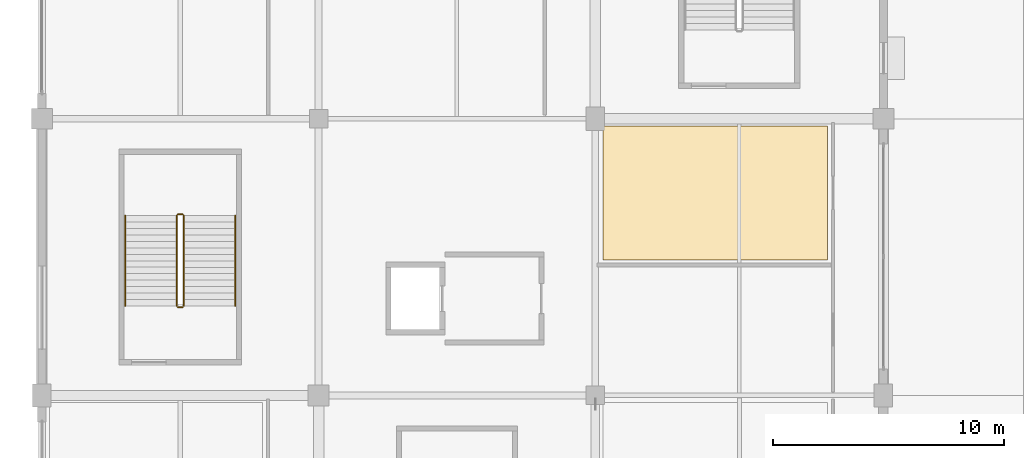
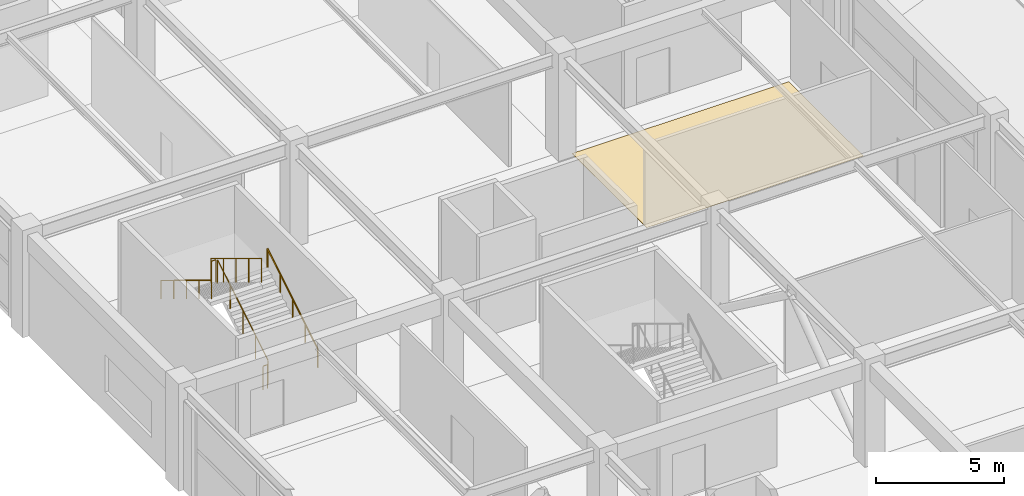
# One storey, part 97 of 116: 6 railings, 1 covering.
"""IFC4 building model written with IfcOpenShell, lengths in metres."""

from ifc_helpers import new_model, si_unit, direction, frame, origin, origin_2d, place, context, subcontext, project, spatial, polyline, circle, outline, extrude, material, layer, layer_set, type_object, element, save


model = new_model("IFC4")

# Units and contexts
model_context = context("Model", 3, precision=1e-05, world=origin(), true_north=direction((0.0, 1.0)))
body_context = subcontext(model_context, "Body", "Model", "MODEL_VIEW")
ifc_project = project(units=[si_unit("LENGTHUNIT", "METRE"), si_unit("AREAUNIT", "SQUARE_METRE"), si_unit("VOLUMEUNIT", "CUBIC_METRE"), si_unit("PLANEANGLEUNIT", "RADIAN"), si_unit("MASSUNIT", "GRAM", prefix="KILO")], contexts=[model_context])

# Site, building, storey
site_placement = place(None, origin())
site = spatial("IfcSite", under=ifc_project, at=site_placement, CompositionType="ELEMENT")
building_placement = place(site_placement, origin())
building = spatial("IfcBuilding", under=site, at=building_placement, Name="Kazenohara Klinker Stadium", CompositionType="ELEMENT")
storey_placement = place(building_placement, frame((0.0, 0.0, 10.199951171875)))
storey = spatial("IfcBuildingStorey", under=building, at=storey_placement, Name="L02", CompositionType="ELEMENT", Elevation=10.199951171875)

# Covering
ifc_material_1 = material(Name="Cushioned EPDM sports rubber flooring", Category="rubber")
ifc_layer_1 = layer(ifc_material_1, 0.014892578125)
ifc_layer_set_1 = layer_set([ifc_layer_1], Name="Cushioned EPDM sports rubber flooring")
covering_type = type_object("IfcCoveringType", Name="COV-FLR-02", PredefinedType="FLOORING", material=ifc_layer_set_1)
covering_placement = place(storey_placement, origin())
element("IfcCovering", 1, at=covering_placement, inside=storey, type_object=covering_type, Name="Interior floor finish FL02 Civic Sports Archive Reading Room L02-0209B", PredefinedType="FLOORING", context=body_context, shape_type="SweptSolid", body=[
    extrude(outline(polyline([(24.330078125, 113.879638671875), (34.070068359375, 113.879638671875), (34.070068359375, 119.68994140625), (24.330078125, 119.68994140625), (24.330078125, 113.879638671875)])), origin(), (0.0, 0.0, 1.0), 0.01513671875),
])

# Railings
ifc_material_2 = material(Name="Brushed stainless steel 304 handrail", Category="steel")
ifc_layer_2 = layer(ifc_material_2, 0.050048828125)
ifc_layer_set_2 = layer_set([ifc_layer_2], Name="Brushed stainless steel 304 handrail")
railing_type_1 = type_object("IfcRailingType", Name="RL-HND-900", PredefinedType="HANDRAIL", material=ifc_layer_set_2)
railing_1_placement = place(storey_placement, frame((8.389892578125, 111.8798828125, 0.170166015625)))
element("IfcRailing", 2, at=railing_1_placement, inside=storey, type_object=railing_type_1, Name="L02 ST04 stair handrail 1", PredefinedType="HANDRAIL", context=body_context, shape_type="SweptSolid", body=[
    extrude(circle(Radius=0.02392578125, at=origin_2d()), frame((0.0, 0.0, 0.8759765625), z_axis=(0.0, 0.854808600491, 0.518943403973), x_axis=(-1.0, 0.0, 0.0)), (0.0, 0.0, 1.0), 4.5859375),
    extrude(circle(Radius=0.02099609375, at=origin_2d()), origin(), (0.0, 0.0, 1.0), 0.851806640625),
    extrude(circle(Radius=0.02099609375, at=origin_2d()), frame((0.0, 0.97998046875, 0.594970703125)), (0.0, 0.0, 1.0), 0.851806640625),
    extrude(circle(Radius=0.02099609375, at=origin_2d()), frame((0.0, 1.9599609375, 1.18994140625)), (0.0, 0.0, 1.0), 0.851806640625),
    extrude(circle(Radius=0.02099609375, at=origin_2d()), frame((0.0, 2.940185546875, 1.784912109375)), (0.0, 0.0, 1.0), 0.851806640625),
    extrude(circle(Radius=0.02099609375, at=origin_2d()), frame((0.0, 3.920166015625, 2.3798828125)), (0.0, 0.0, 1.0), 0.851806640625),
])
railing_2_placement = place(storey_placement, frame((3.610107421875, 115.800048828125, 2.719970703125)))
element("IfcRailing", 3, at=railing_2_placement, inside=storey, type_object=railing_type_1, Name="L02 ST04 stair handrail 2", PredefinedType="HANDRAIL", context=body_context, shape_type="SweptSolid", body=[
    extrude(circle(Radius=0.02392578125, at=origin_2d()), frame((0.0, 0.0, 0.8759765625), z_axis=(0.0, -0.854784984964, 0.518982301701), x_axis=(1.0, 0.0, 0.0)), (0.0, 0.0, 1.0), 4.586181640625),
    extrude(circle(Radius=0.02099609375, at=origin_2d()), origin(), (0.0, 0.0, 1.0), 0.851806640625),
    extrude(circle(Radius=0.02099609375, at=origin_2d()), frame((0.0, -0.97998046875, 0.594970703125)), (0.0, 0.0, 1.0), 0.851806640625),
    extrude(circle(Radius=0.02099609375, at=origin_2d()), frame((0.0, -1.9599609375, 1.18994140625)), (0.0, 0.0, 1.0), 0.851806640625),
    extrude(circle(Radius=0.02099609375, at=origin_2d()), frame((0.0, -2.940185546875, 1.78515625)), (0.0, 0.0, 1.0), 0.851806640625),
    extrude(circle(Radius=0.02099609375, at=origin_2d()), frame((0.0, -3.920166015625, 2.380126953125)), (0.0, 0.0, 1.0), 0.851806640625),
])
ifc_material_3 = material(Name="Painted steel stairwell guardrail", Category="steel")
ifc_layer_3 = layer(ifc_material_3, 0.06005859375)
ifc_layer_set_3 = layer_set([ifc_layer_3], Name="Painted steel stairwell guardrail")
railing_type_2 = type_object("IfcRailingType", Name="RL-STG-1120", PredefinedType="GUARDRAIL", material=ifc_layer_set_3)
railing_3_placement = place(storey_placement, frame((6.14990234375, 111.8798828125, 0.170166015625)))
element("IfcRailing", 4, at=railing_3_placement, inside=storey, type_object=railing_type_2, Name="L02 ST04 stair guard 1", PredefinedType="GUARDRAIL", context=body_context, shape_type="SweptSolid", body=[
    extrude(circle(Radius=0.02392578125, at=origin_2d()), frame((0.0, 0.0, 1.1259765625), z_axis=(0.0, 0.854808600491, 0.518943403973), x_axis=(-1.0, 0.0, 0.0)), (0.0, 0.0, 1.0), 4.5859375),
    extrude(circle(Radius=0.02099609375, at=origin_2d()), origin(), (0.0, 0.0, 1.0), 1.101806640625),
    extrude(circle(Radius=0.02099609375, at=origin_2d()), frame((0.0, 0.97998046875, 0.594970703125)), (0.0, 0.0, 1.0), 1.101806640625),
    extrude(circle(Radius=0.02099609375, at=origin_2d()), frame((0.0, 1.9599609375, 1.18994140625)), (0.0, 0.0, 1.0), 1.101806640625),
    extrude(circle(Radius=0.02099609375, at=origin_2d()), frame((0.0, 2.940185546875, 1.784912109375)), (0.0, 0.0, 1.0), 1.101806640625),
    extrude(circle(Radius=0.02099609375, at=origin_2d()), frame((0.0, 3.920166015625, 2.3798828125)), (0.0, 0.0, 1.0), 1.101806640625),
])
railing_4_placement = place(storey_placement, frame((6.10009765625, 115.85009765625, 2.550048828125)))
element("IfcRailing", 5, at=railing_4_placement, inside=storey, type_object=railing_type_2, Name="L02 ST04 stair guard 2", PredefinedType="GUARDRAIL", context=body_context, shape_type="SweptSolid", body=[
    extrude(circle(Radius=0.02392578125, at=origin_2d()), frame((0.0, 0.0, 1.1259765625), z_axis=(-1.0, 0.0, 0.0), x_axis=(0.0, -1.0, 0.0)), (0.0, 0.0, 1.0), 0.2001953125),
    extrude(circle(Radius=0.02099609375, at=origin_2d()), origin(), (0.0, 0.0, 1.0), 1.101806640625),
    extrude(circle(Radius=0.02099609375, at=origin_2d()), frame((-0.2001953125, 0.0, 0.0)), (0.0, 0.0, 1.0), 1.101806640625),
])
railing_5_placement = place(storey_placement, frame((5.85009765625, 115.800048828125, 2.719970703125)))
element("IfcRailing", 6, at=railing_5_placement, inside=storey, type_object=railing_type_2, Name="L02 ST04 stair guard 3", PredefinedType="GUARDRAIL", context=body_context, shape_type="SweptSolid", body=[
    extrude(circle(Radius=0.02392578125, at=origin_2d()), frame((0.0, 0.0, 1.1259765625), z_axis=(0.0, -0.854784984964, 0.518982301701), x_axis=(1.0, 0.0, 0.0)), (0.0, 0.0, 1.0), 4.586181640625),
    extrude(circle(Radius=0.02099609375, at=origin_2d()), origin(), (0.0, 0.0, 1.0), 1.101806640625),
    extrude(circle(Radius=0.02099609375, at=origin_2d()), frame((0.0, -0.97998046875, 0.594970703125)), (0.0, 0.0, 1.0), 1.101806640625),
    extrude(circle(Radius=0.02099609375, at=origin_2d()), frame((0.0, -1.9599609375, 1.18994140625)), (0.0, 0.0, 1.0), 1.101806640625),
    extrude(circle(Radius=0.02099609375, at=origin_2d()), frame((0.0, -2.940185546875, 1.78515625)), (0.0, 0.0, 1.0), 1.101806640625),
    extrude(circle(Radius=0.02099609375, at=origin_2d()), frame((0.0, -3.920166015625, 2.380126953125)), (0.0, 0.0, 1.0), 1.101806640625),
])
railing_6_placement = place(storey_placement, frame((6.10009765625, 111.830078125, 0.0)))
element("IfcRailing", 7, at=railing_6_placement, inside=storey, type_object=railing_type_2, Name="L02 ST04 stair guard 4", PredefinedType="GUARDRAIL", context=body_context, shape_type="SweptSolid", body=[
    extrude(circle(Radius=0.02392578125, at=origin_2d()), frame((0.0, 0.0, 1.1259765625), z_axis=(-1.0, 0.0, 0.0), x_axis=(0.0, -1.0, 0.0)), (0.0, 0.0, 1.0), 0.2001953125),
    extrude(circle(Radius=0.02099609375, at=origin_2d()), origin(), (0.0, 0.0, 1.0), 1.101806640625),
    extrude(circle(Radius=0.02099609375, at=origin_2d()), frame((-0.2001953125, 0.0, 0.0)), (0.0, 0.0, 1.0), 1.101806640625),
])

save(model, "model.ifc")
